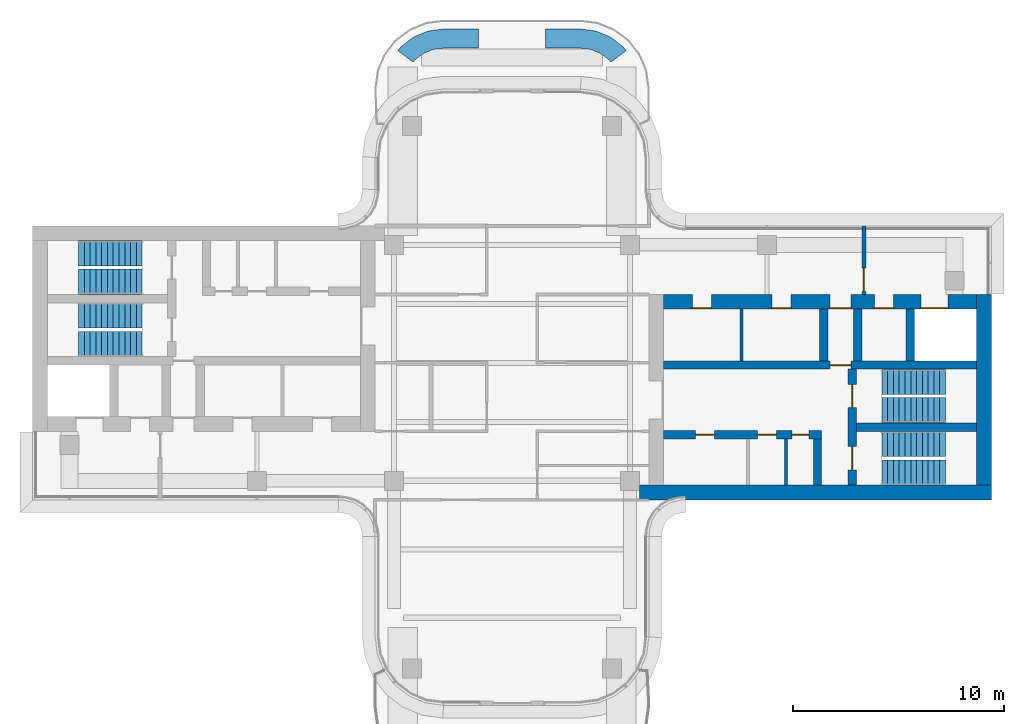
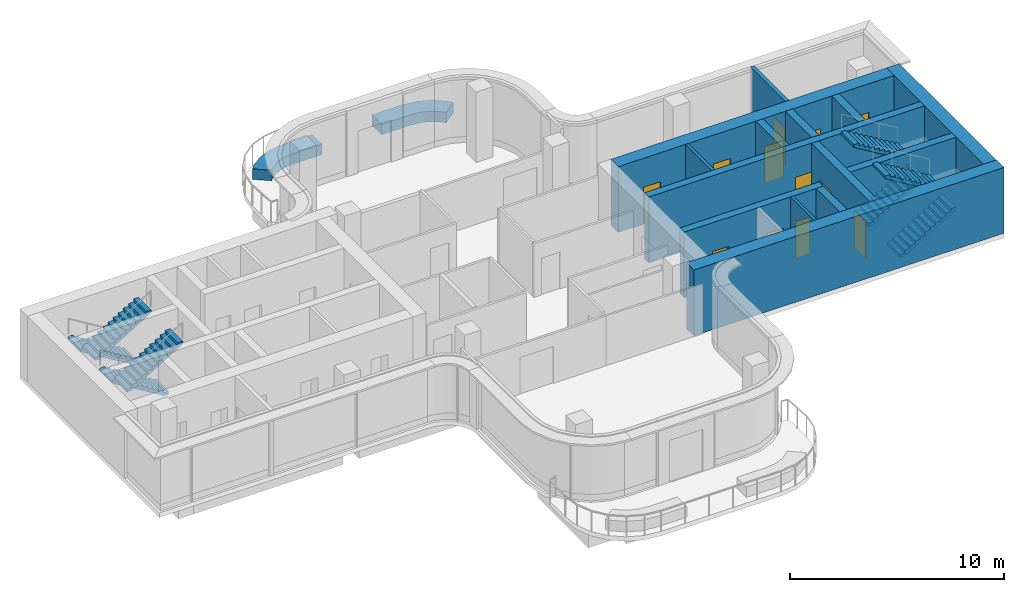
# One storey, part 9 of 11: 16 walls, 12 doors, 8 stair flights, 12 openings, 4 elements without a shape of their own.
"""IFC4 building model written with IfcOpenShell, lengths in metres."""

import ifcopenshell
import ifcopenshell.guid

model = None  # the IFC model being written
_history = None  # IfcOwnerHistory: only IFC2X3 demands one
_inside = {}  # id of a spatial element -> (the spatial element, [elements in it])
_under = {}  # id of a project, library or spatial element -> (it, [spatial elements below it])
_declared = {}  # id of a project -> (the project, [libraries it declares])
_typed = {}  # id of a type object -> (the type object, [elements of that type])
_made_of = {}  # id of a material, layer set ... -> (it, [elements and type objects made of it])


def new_model(schema):
    """Start an empty IFC model of exactly this schema.

    Asked for "IFC4X3", IfcOpenShell would pick the latest addendum, in which some entities
    have other attributes; the version numbers below select the first issue.
    IFC2X3 requires an IfcOwnerHistory on every rooted entity: one is made here for all.
    """
    global model, _history
    if schema == "IFC4X3":
        model = ifcopenshell.file(schema_version=(4, 3, 0, 0))
    else:
        model = ifcopenshell.file(schema=schema)
    _inside.clear()
    _under.clear()
    _declared.clear()
    _typed.clear()
    _made_of.clear()
    _history = None
    if model.schema == "IFC2X3":
        org = make("IfcOrganization", Name="unknown")
        user = make(
            "IfcPersonAndOrganization",
            ThePerson=make("IfcPerson", FamilyName="unknown"),
            TheOrganization=org,
        )
        app = make(
            "IfcApplication",
            ApplicationDeveloper=org,
            Version="unknown",
            ApplicationFullName="unknown",
            ApplicationIdentifier="unknown",
        )
        _history = make(
            "IfcOwnerHistory",
            OwningUser=user,
            OwningApplication=app,
            ChangeAction="ADDED",
            CreationDate=0,
        )
    return model


def make(cls, **values):
    """One entity of the class cls with the attributes given. An attribute that is None is left unset."""
    return model.create_entity(
        cls, **{name: value for name, value in values.items() if value is not None}
    )


def rooted(cls, **values):
    """An entity with a GlobalId (a new one), such as an element, a storey or a relation."""
    return make(cls, GlobalId=ifcopenshell.guid.new(), OwnerHistory=_history, **values)


def si_unit(unit_type, name, prefix=None):
    """IfcSIUnit, for example si_unit("LENGTHUNIT", "METRE", prefix="MILLI")."""
    return make("IfcSIUnit", UnitType=unit_type, Prefix=prefix, Name=name)


def assignment(units):
    """IfcUnitAssignment: the units of a project."""
    return None if units is None else make("IfcUnitAssignment", Units=units)


def point(xyz):
    """IfcCartesianPoint."""
    return None if xyz is None else make("IfcCartesianPoint", Coordinates=xyz)


def direction(xyz):
    """IfcDirection."""
    return None if xyz is None else make("IfcDirection", DirectionRatios=xyz)


def frame(location, z_axis=None, x_axis=None):
    """IfcAxis2Placement3D, a coordinate frame: its origin and axes. An axis left out is left unset."""
    return make(
        "IfcAxis2Placement3D",
        Location=point(location),
        Axis=direction(z_axis),
        RefDirection=direction(x_axis),
    )


def frame_2d(location, x_axis=None):
    """IfcAxis2Placement2D, a coordinate frame in the plane: its origin and x axis."""
    return make(
        "IfcAxis2Placement2D", Location=point(location), RefDirection=direction(x_axis)
    )


def origin():
    """The frame at (0, 0, 0) with its axes left unset."""
    return frame((0.0, 0.0, 0.0))


def place(relative_to, where):
    """IfcLocalPlacement: puts the frame where relative to a parent placement (None: the world)."""
    return make(
        "IfcLocalPlacement", PlacementRelTo=relative_to, RelativePlacement=where
    )


def context(
    kind, dimensions, precision=None, world=None, true_north=None, identifier=None
):
    """IfcGeometricRepresentationContext, for example the 3D "Model" context."""
    return make(
        "IfcGeometricRepresentationContext",
        ContextIdentifier=identifier,
        ContextType=kind,
        CoordinateSpaceDimension=dimensions,
        Precision=precision,
        WorldCoordinateSystem=world,
        TrueNorth=true_north,
    )


def subcontext(parent, identifier, kind, view, scale=None):
    """IfcGeometricRepresentationSubContext, for example "Body" below "Model"."""
    return make(
        "IfcGeometricRepresentationSubContext",
        ContextIdentifier=identifier,
        ContextType=kind,
        ParentContext=parent,
        TargetScale=scale,
        TargetView=view,
    )


def project(units=None, contexts=None):
    """IfcProject with its units and contexts."""
    return rooted(
        "IfcProject",
        Name="project",
        RepresentationContexts=contexts,
        UnitsInContext=assignment(units),
    )


def spatial(cls, under=None, at=None, **own):
    """A site, building, storey or space (cls), placed at a placement, below another one or the project."""
    s = rooted(cls, ObjectPlacement=at, **own)
    if under is not None:
        _under.setdefault(under.id(), (under, []))[1].append(s)
    return s


def polyline(points):
    """IfcPolyline through the points."""
    return make("IfcPolyline", Points=[point(p) for p in points])


def profile(cls, at=None, kind="AREA", **sizes):
    """A parametric profile (cls). Its sizes go by their IFC names, for example OverallWidth=200.0."""
    return make(cls, ProfileType=kind, Position=at, **sizes)


def rectangle(**sizes):
    """IfcRectangleProfileDef."""
    return profile("IfcRectangleProfileDef", **sizes)


def outline(outer, holes=None, kind="AREA"):
    """IfcArbitraryClosedProfileDef: a profile drawn as a closed curve; with holes, ...WithVoids."""
    if holes is None:
        return make("IfcArbitraryClosedProfileDef", ProfileType=kind, OuterCurve=outer)
    return make(
        "IfcArbitraryProfileDefWithVoids",
        ProfileType=kind,
        OuterCurve=outer,
        InnerCurves=holes,
    )


def extrude(swept, where, along, depth):
    """IfcExtrudedAreaSolid: the profile swept, set in the frame where, extruded along a direction by depth."""
    return make(
        "IfcExtrudedAreaSolid",
        SweptArea=swept,
        Position=where,
        ExtrudedDirection=direction(along),
        Depth=depth,
    )


def shape(context_of_items, identifier, shape_type, items):
    """IfcShapeRepresentation: the items that make up one representation, for example the "Body"."""
    return make(
        "IfcShapeRepresentation",
        ContextOfItems=context_of_items,
        RepresentationIdentifier=identifier,
        RepresentationType=shape_type,
        Items=items,
    )


def source(mapping_origin, context_of_items, identifier, shape_type, items):
    """IfcRepresentationMap: a shape defined once, which mapped items show again and again."""
    return make(
        "IfcRepresentationMap",
        MappingOrigin=mapping_origin,
        MappedRepresentation=shape(context_of_items, identifier, shape_type, items),
    )


def transform(
    local_origin,
    x_axis=None,
    y_axis=None,
    z_axis=None,
    scale=None,
    scale2=None,
    scale3=None,
    uniform=True,
):
    """IfcCartesianTransformationOperator3D, or its non-uniform kind. x_axis, y_axis, z_axis: its Axis1, 2, 3."""
    if uniform:
        return make(
            "IfcCartesianTransformationOperator3D",
            Axis1=direction(x_axis),
            Axis2=direction(y_axis),
            LocalOrigin=point(local_origin),
            Scale=scale,
            Axis3=direction(z_axis),
        )
    return make(
        "IfcCartesianTransformationOperator3DnonUniform",
        Axis1=direction(x_axis),
        Axis2=direction(y_axis),
        LocalOrigin=point(local_origin),
        Scale=scale,
        Axis3=direction(z_axis),
        Scale2=scale2,
        Scale3=scale3,
    )


def mapped(mapping_source, mapping_target):
    """IfcMappedItem: shows the shape of a source again, moved by a transform."""
    return make(
        "IfcMappedItem", MappingSource=mapping_source, MappingTarget=mapping_target
    )


def material(Name=None, Category=None):
    """IfcMaterial."""
    return make("IfcMaterial", Name=Name, Category=Category)


def layer(
    of_material, thickness, ventilated=None, Name=None, Category=None, Priority=None
):
    """IfcMaterialLayer: one layer of a wall or slab, of a material (None: an air gap)."""
    return make(
        "IfcMaterialLayer",
        Material=of_material,
        LayerThickness=thickness,
        IsVentilated=ventilated,
        Name=Name,
        Category=Category,
        Priority=Priority,
    )


def layer_set(layers, Name=None):
    """IfcMaterialLayerSet."""
    return make("IfcMaterialLayerSet", MaterialLayers=layers, LayerSetName=Name)


def made_of(thing, what):
    """Note that an element or type object is made of a material, layer set ...; save() writes the relation."""
    if what is not None:
        _made_of.setdefault(what.id(), (what, []))[1].append(thing)
    return thing


def type_object(cls, material=None, **own):
    """A type object (cls), such as IfcWallType, which elements share."""
    return made_of(rooted(cls, **own), material)


def element(
    cls,
    number,
    at=None,
    inside=None,
    cuts=None,
    type_object=None,
    material=None,
    context=None,
    identifier="Body",
    shape_type=None,
    held_by="IfcProductDefinitionShape",
    body=None,
    shapes=None,
    **own,
):
    """One element of the class cls, such as IfcWall. Its Tag is "e" and its number.

    at: its placement. inside: the storey or other place that contains it. cuts: it is an
    opening in that element (IfcRelVoidsElement). A single representation is given by context,
    identifier, shape_type and body (its items); several are given by shapes. held_by: the class
    of the entity that holds the representations. save() writes the other relations.
    """
    e = rooted(cls, Tag="e%d" % number, ObjectPlacement=at, **own)
    if body is not None:
        shapes = [shape(context, identifier, shape_type, body)]
    if shapes is not None:
        e.Representation = make(held_by, Representations=shapes)
    if inside is not None:
        _inside.setdefault(inside.id(), (inside, []))[1].append(e)
    if cuts is not None:
        rooted(
            "IfcRelVoidsElement", RelatingBuildingElement=cuts, RelatedOpeningElement=e
        )
    if type_object is not None:
        _typed.setdefault(type_object.id(), (type_object, []))[1].append(e)
    return made_of(e, material)


def fill(opening, filler):
    """IfcRelFillsElement: the door or window that sits in an opening."""
    return rooted(
        "IfcRelFillsElement",
        RelatingOpeningElement=opening,
        RelatedBuildingElement=filler,
    )


def aggregate(whole, parts):
    """IfcRelAggregates: a whole, such as a stair, and the parts it consists of."""
    return rooted("IfcRelAggregates", RelatingObject=whole, RelatedObjects=parts)


def save(model, path):
    """Write the relations noted so far, then the file.

    IfcRelAggregates (storeys below a building ...), IfcRelContainedInSpatialStructure (elements
    in a storey), IfcRelDefinesByType, IfcRelAssociatesMaterial and IfcRelDeclares: one each for
    every whole, place, type object, material and project.
    """
    for whole, parts in _under.values():
        aggregate(whole, parts)
    for where, things in _inside.values():
        rooted(
            "IfcRelContainedInSpatialStructure",
            RelatedElements=things,
            RelatingStructure=where,
        )
    for kind, things in _typed.values():
        rooted("IfcRelDefinesByType", RelatedObjects=things, RelatingType=kind)
    for what, things in _made_of.values():
        rooted("IfcRelAssociatesMaterial", RelatedObjects=things, RelatingMaterial=what)
    for by, libraries in _declared.values():
        rooted("IfcRelDeclares", RelatingContext=by, RelatedDefinitions=libraries)
    model.write(path)


model = new_model("IFC4")

# Units and contexts
model_context = context("Model", 3, precision=1e-05, world=origin(), true_north=direction((0.0, 1.0)))
body_context = subcontext(model_context, "Body", "Model", "MODEL_VIEW")
ifc_project = project(units=[si_unit("LENGTHUNIT", "METRE"), si_unit("AREAUNIT", "SQUARE_METRE"), si_unit("VOLUMEUNIT", "CUBIC_METRE"), si_unit("PLANEANGLEUNIT", "RADIAN"), si_unit("MASSUNIT", "GRAM", prefix="KILO")], contexts=[model_context])

# Site, building, storey
site_placement = place(None, origin())
site = spatial("IfcSite", under=ifc_project, at=site_placement, CompositionType="ELEMENT")
building_placement = place(site_placement, origin())
building = spatial("IfcBuilding", under=site, at=building_placement, Name="Trellis Farm Tower", CompositionType="ELEMENT")
storey_placement = place(building_placement, frame((0.0, 0.0, 346.10009765625)))
storey = spatial("IfcBuildingStorey", under=building, at=storey_placement, Name="L78", CompositionType="ELEMENT", Elevation=346.10009765625)

# Walls
ifc_material_1 = material(Name="Sandstone faced masonry planter", Category="masonry")
ifc_layer_1 = layer(ifc_material_1, 0.89990234375)
ifc_layer_set_1 = layer_set([ifc_layer_1], Name="TERRACE PLANTER BED 900")
wall_type_1 = type_object("IfcWallType", Name="TERRACE PLANTER BED 900", PredefinedType="USERDEFINED", material=ifc_layer_set_1)
placement = place(storey_placement, origin())
element("IfcWall", 1, at=placement, inside=storey, type_object=wall_type_1, Name="PLANTER bed", ObjectType="PLANTER", PredefinedType="USERDEFINED", context=body_context, shape_type="SweptSolid", body=[
    extrude(outline(polyline([(-5.2626953125, 15.0126953125), (-4.67333984375, 15.465087890625), (-3.98681640625, 15.74951171875), (-3.223876953125, 15.85009765625), (-1.60009765625, 15.85009765625), (-1.60009765625, 14.949951171875), (-3.164794921875, 14.949951171875), (-3.751708984375, 14.872802734375), (-4.219482421875, 14.678955078125), (-4.620849609375, 14.370849609375), (-4.695556640625, 14.273681640625), (-5.40966796875, 14.821533203125), (-5.2626953125, 15.0126953125)])), origin(), (0.0, 0.0, 1.0), 0.599853515625),
])
element("IfcWall", 2, at=placement, inside=storey, type_object=wall_type_1, Name="PLANTER bed", ObjectType="PLANTER", PredefinedType="USERDEFINED", context=body_context, shape_type="SweptSolid", body=[
    extrude(outline(polyline([(3.98681640625, 15.74951171875), (4.67333984375, 15.465087890625), (5.2626953125, 15.0126953125), (5.40966796875, 14.821533203125), (4.695556640625, 14.273681640625), (4.620849609375, 14.370849609375), (4.219482421875, 14.678955078125), (3.751708984375, 14.872802734375), (3.164794921875, 14.949951171875), (1.60009765625, 14.949951171875), (1.60009765625, 15.85009765625), (3.223876953125, 15.85009765625), (3.98681640625, 15.74951171875)])), origin(), (0.0, 0.0, 1.0), 0.599853515625),
])
ifc_material_2 = material(Name="Concrete C50/60", Category="concrete")
ifc_layer_2 = layer(ifc_material_2, 0.699951171875)
ifc_layer_set_2 = layer_set([ifc_layer_2], Name="CORE OUTER WALL 700 CONCRETE C50/60")
wall_type_2 = type_object("IfcWallType", Name="CORE OUTER WALL 700 CONCRETE C50/60", PredefinedType="SHEAR", material=ifc_layer_set_2)
shared_shape_1 = source(origin(), body_context, "Body", "SweptSolid", [
    extrude(rectangle(XDim=9.050048828125, YDim=0.699951171875, at=frame_2d((4.52490234375, 0.0))), origin(), (0.0, 0.0, 1.0), 3.75),
])
wall_3_placement = place(storey_placement, frame((22.39990234375, -5.800048828125, 0.0), z_axis=(0.0, 0.0, 1.0), x_axis=(0.0, 1.0, 0.0)))
element("IfcWall", 3, at=wall_3_placement, inside=storey, type_object=wall_type_2, Name="Core wall", PredefinedType="SHEAR", context=body_context, shape_type="MappedRepresentation", body=[
    mapped(shared_shape_1, transform((0.0, 0.0, 0.0))),
])
ifc_layer_3 = layer(ifc_material_2, 0.39990234375)
ifc_layer_set_3 = layer_set([ifc_layer_3], Name="CORE INNER WALL 400 CONCRETE C50/60")
wall_type_3 = type_object("IfcWallType", Name="CORE INNER WALL 400 CONCRETE C50/60", PredefinedType="SHEAR", material=ifc_layer_set_3)
shared_shape_2 = source(origin(), body_context, "Body", "SweptSolid", [
    extrude(rectangle(XDim=2.449951171875, YDim=0.39990234375, at=frame_2d((1.22509765625, 0.0))), origin(), (0.0, 0.0, 1.0), 3.75),
])
for number, where, z_axis, x_axis, name in (
    (4, (14.800048828125, 0.10009765625, 0.0), (0.0, 0.0, 1.0), (0.0, 1.0, 0.0), "Core wall"),
    (5, (16.39990234375, 0.10009765625, 0.0), (0.0, 0.0, 1.0), (0.0, 1.0, 0.0), "Core wall"),
    (6, (18.89990234375, 0.10009765625, 0.0), (0.0, 0.0, 1.0), (0.0, 1.0, 0.0), "Core wall"),
):
    element("IfcWall", number, at=place(storey_placement, frame(where, z_axis=z_axis, x_axis=x_axis)), inside=storey, type_object=wall_type_3, Name=name, PredefinedType="SHEAR", context=body_context, shape_type="MappedRepresentation", body=[
        mapped(shared_shape_2, transform((0.0, 0.0, 0.0))),
    ])
ifc_material_3 = material(Name="Masonry blockwork", Category="masonry")
ifc_layer_4 = layer(ifc_material_3, 0.14990234375)
ifc_layer_set_4 = layer_set([ifc_layer_4], Name="CORE PARTITION 150 BLOCKWORK")
wall_type_4 = type_object("IfcWallType", Name="CORE PARTITION 150 BLOCKWORK", PredefinedType="PARTITIONING", material=ifc_layer_set_4)
shared_shape_3 = source(origin(), body_context, "Body", "SweptSolid", [
    extrude(rectangle(XDim=2.449951171875, YDim=0.14990234375, at=frame_2d((1.22509765625, 0.0))), origin(), (0.0, 0.0, 1.0), 3.75),
])
wall_4_placement = place(storey_placement, frame((10.89990234375, 0.10009765625, 0.0), z_axis=(0.0, 0.0, 1.0), x_axis=(0.0, 1.0, 0.0)))
element("IfcWall", 7, at=wall_4_placement, inside=storey, type_object=wall_type_4, Name="Core room partition", PredefinedType="PARTITIONING", context=body_context, shape_type="MappedRepresentation", body=[
    mapped(shared_shape_3, transform((0.0, 0.0, 0.0))),
])
shared_shape_4 = source(origin(), body_context, "Body", "SweptSolid", [
    extrude(rectangle(XDim=16.699951171875, YDim=0.699951171875, at=frame_2d((8.35009765625, 0.0))), origin(), (0.0, 0.0, 1.0), 3.75),
])
wall_5_placement = place(storey_placement, frame((6.050048828125, -6.14990234375, 0.0), z_axis=(0.0, 0.0, 1.0), x_axis=(1.0, 0.0, 0.0)))
element("IfcWall", 8, at=wall_5_placement, inside=storey, type_object=wall_type_2, Name="Core wall", PredefinedType="SHEAR", context=body_context, shape_type="MappedRepresentation", body=[
    mapped(shared_shape_4, transform((0.0, 0.0, 0.0))),
])

# Wall, openings, doors
shared_shape_5 = source(origin(), body_context, "Body", "SweptSolid", [
    extrude(rectangle(XDim=14.85009765625, YDim=0.699951171875, at=frame_2d((7.425048828125, 0.0))), origin(), (0.0, 0.0, 1.0), 3.75),
])
wall_6_placement = place(storey_placement, frame((7.199951171875, 2.89990234375, 0.0), z_axis=(0.0, 0.0, 1.0), x_axis=(1.0, 0.0, 0.0)))
wall_6 = element("IfcWall", 9, at=wall_6_placement, inside=storey, type_object=wall_type_2, Name="Core wall", PredefinedType="SHEAR", context=body_context, shape_type="MappedRepresentation", body=[
    mapped(shared_shape_5, transform((0.0, 0.0, 0.0))),
])
shared_shape_6 = source(origin(), body_context, "Body", "SweptSolid", [
    extrude(rectangle(XDim=1.300048828125, YDim=2.10009765625, at=frame_2d((0.64990234375, 1.050048828125))), frame((0.0, 0.360107421875, 0.0), z_axis=(0.0, -1.0, 0.0), x_axis=(1.0, 0.0, 0.0)), (0.0, 0.0, 1.0), 0.72021484375),
])
opening_1_placement = place(wall_6_placement, frame((12.199951171875, 0.0, 0.0)))
opening_1 = element("IfcOpeningElement", 10, at=opening_1_placement, cuts=wall_6, Name="Opening LD7", PredefinedType="OPENING", context=body_context, shape_type="MappedRepresentation", body=[
    mapped(shared_shape_6, transform((0.0, 0.0, 0.0))),
])
shared_shape_7 = source(origin(), body_context, "Body", "SweptSolid", [
    extrude(rectangle(XDim=1.0, YDim=2.10009765625, at=frame_2d((0.5, 1.050048828125))), frame((0.0, 0.360107421875, 0.0), z_axis=(0.0, -1.0, 0.0), x_axis=(1.0, 0.0, 0.0)), (0.0, 0.0, 1.0), 0.72021484375),
])
opening_2_placement = place(wall_6_placement, frame((7.89990234375, 0.0, 0.0)))
opening_2 = element("IfcOpeningElement", 11, at=opening_2_placement, cuts=wall_6, Name="Opening DC6", PredefinedType="OPENING", context=body_context, shape_type="MappedRepresentation", body=[
    mapped(shared_shape_7, transform((0.0, 0.0, 0.0))),
])
shared_shape_8 = source(origin(), body_context, "Body", "SweptSolid", [
    extrude(rectangle(XDim=0.89990234375, YDim=2.10009765625, at=frame_2d((0.449951171875, 1.050048828125))), frame((0.0, 0.360107421875, 0.0), z_axis=(0.0, -1.0, 0.0), x_axis=(1.0, 0.0, 0.0)), (0.0, 0.0, 1.0), 0.72021484375),
])
opening_3_placement = place(wall_6_placement, frame((1.362548828125, 0.0, 0.0)))
opening_3 = element("IfcOpeningElement", 12, at=opening_3_placement, cuts=wall_6, Name="Opening DC12", PredefinedType="OPENING", context=body_context, shape_type="MappedRepresentation", body=[
    mapped(shared_shape_8, transform((0.0, 0.0, 0.0))),
])
opening_4_placement = place(wall_6_placement, frame((5.137451171875, 0.0, 0.0)))
opening_4 = element("IfcOpeningElement", 13, at=opening_4_placement, cuts=wall_6, Name="Opening DC17", PredefinedType="OPENING", context=body_context, shape_type="MappedRepresentation", body=[
    mapped(shared_shape_8, transform((0.0, 0.0, 0.0))),
])
opening_5_placement = place(wall_6_placement, frame((10.0, 0.0, 0.0)))
opening_5 = element("IfcOpeningElement", 14, at=opening_5_placement, cuts=wall_6, Name="Opening DC48", PredefinedType="OPENING", context=body_context, shape_type="MappedRepresentation", body=[
    mapped(shared_shape_8, transform((0.0, 0.0, 0.0))),
])
ifc_material_4 = material(Name="Steel", Category="steel")
door_type_1 = type_object("IfcDoorType", Name="CORE FIRE DOOR 1000 X 2100", OperationType="NOTDEFINED", PredefinedType="DOOR", material=ifc_material_4)
shared_shape_9 = source(origin(), body_context, "Body", "SweptSolid", [
    extrude(rectangle(XDim=1.0, YDim=2.10009765625, at=frame_2d((0.5, 1.050048828125))), frame((0.0, -0.27490234375, 0.0), z_axis=(0.0, -1.0, 0.0), x_axis=(1.0, 0.0, 0.0)), (0.0, 0.0, 1.0), 0.050048828125),
])
door_1_placement = place(opening_2_placement, origin())
door_1 = element("IfcDoor", 15, at=door_1_placement, inside=storey, type_object=door_type_1, Name="Core door", OperationType="SINGLE_SWING_LEFT", OverallHeight=2.10009765625, OverallWidth=1.0, PredefinedType="DOOR", context=body_context, shape_type="MappedRepresentation", body=[
    mapped(shared_shape_9, transform((0.0, 0.0, 0.0))),
])
fill(opening_2, door_1)
door_type_2 = type_object("IfcDoorType", Name="CORE FIRE DOOR 900 X 2100", OperationType="NOTDEFINED", PredefinedType="DOOR", material=ifc_material_4)
shared_shape_10 = source(origin(), body_context, "Body", "SweptSolid", [
    extrude(rectangle(XDim=0.89990234375, YDim=2.10009765625, at=frame_2d((0.449951171875, 1.050048828125))), frame((0.0, -0.27490234375, 0.0), z_axis=(0.0, -1.0, 0.0), x_axis=(1.0, 0.0, 0.0)), (0.0, 0.0, 1.0), 0.050048828125),
])
door_2_placement = place(opening_3_placement, origin())
door_2 = element("IfcDoor", 16, at=door_2_placement, inside=storey, type_object=door_type_2, Name="Core door", OperationType="SINGLE_SWING_RIGHT", OverallHeight=2.10009765625, OverallWidth=0.89990234375, PredefinedType="DOOR", context=body_context, shape_type="MappedRepresentation", body=[
    mapped(shared_shape_10, transform((0.0, 0.0, 0.0))),
])
fill(opening_3, door_2)
door_3_placement = place(opening_4_placement, origin())
door_3 = element("IfcDoor", 17, at=door_3_placement, inside=storey, type_object=door_type_2, Name="Core door", OperationType="SINGLE_SWING_LEFT", OverallHeight=2.10009765625, OverallWidth=0.89990234375, PredefinedType="DOOR", context=body_context, shape_type="MappedRepresentation", body=[
    mapped(shared_shape_10, transform((0.0, 0.0, 0.0))),
])
fill(opening_4, door_3)
door_4_placement = place(opening_5_placement, origin())
door_4 = element("IfcDoor", 18, at=door_4_placement, inside=storey, type_object=door_type_2, Name="Core door", OperationType="SINGLE_SWING_RIGHT", OverallHeight=2.10009765625, OverallWidth=0.89990234375, PredefinedType="DOOR", context=body_context, shape_type="MappedRepresentation", body=[
    mapped(shared_shape_10, transform((0.0, 0.0, 0.0))),
])
fill(opening_5, door_4)
ifc_material_5 = material(Name="Stainless steel", Category="steel")
door_type_3 = type_object("IfcDoorType", Name="LIFT LANDING DOOR 1300 X 2100", OperationType="DOUBLE_DOOR_SLIDING", PredefinedType="DOOR", material=ifc_material_5)
shared_shape_11 = source(origin(), body_context, "Body", "SweptSolid", [
    extrude(rectangle(XDim=1.300048828125, YDim=2.10009765625, at=frame_2d((0.64990234375, 1.050048828125))), frame((0.0, -0.27490234375, 0.0), z_axis=(0.0, -1.0, 0.0), x_axis=(1.0, 0.0, 0.0)), (0.0, 0.0, 1.0), 0.050048828125),
])
door_5_placement = place(opening_1_placement, origin())
door_5 = element("IfcDoor", 19, at=door_5_placement, inside=storey, type_object=door_type_3, Name="Lift landing door", OperationType="DOUBLE_DOOR_SLIDING", OverallHeight=2.10009765625, OverallWidth=1.300048828125, PredefinedType="DOOR", context=body_context, shape_type="MappedRepresentation", body=[
    mapped(shared_shape_11, transform((0.0, 0.0, 0.0))),
])
fill(opening_1, door_5)

shared_shape_12 = source(origin(), body_context, "Body", "SweptSolid", [
    extrude(rectangle(XDim=7.5, YDim=0.39990234375, at=frame_2d((3.75, 0.0))), origin(), (0.0, 0.0, 1.0), 3.75),
])
wall_7_placement = place(storey_placement, frame((7.199951171875, -3.39990234375, 0.0), z_axis=(0.0, 0.0, 1.0), x_axis=(1.0, 0.0, 0.0)))
wall_7 = element("IfcWall", 20, at=wall_7_placement, inside=storey, type_object=wall_type_3, Name="Core wall", PredefinedType="SHEAR", context=body_context, shape_type="MappedRepresentation", body=[
    mapped(shared_shape_12, transform((0.0, 0.0, 0.0))),
])
shared_shape_13 = source(origin(), body_context, "Body", "SweptSolid", [
    extrude(rectangle(XDim=0.89990234375, YDim=2.10009765625, at=frame_2d((0.449951171875, 1.050048828125))), frame((0.0, 0.2099609375, 0.0), z_axis=(0.0, -1.0, 0.0), x_axis=(1.0, 0.0, 0.0)), (0.0, 0.0, 1.0), 0.419921875),
])
opening_6_placement = place(wall_7_placement, frame((1.512451171875, 0.0, 0.0)))
opening_6 = element("IfcOpeningElement", 21, at=opening_6_placement, cuts=wall_7, Name="Opening DC53", PredefinedType="OPENING", context=body_context, shape_type="MappedRepresentation", body=[
    mapped(shared_shape_13, transform((0.0, 0.0, 0.0))),
])
opening_7_placement = place(wall_7_placement, frame((4.449951171875, 0.0, 0.0)))
opening_7 = element("IfcOpeningElement", 22, at=opening_7_placement, cuts=wall_7, Name="Opening DC60", PredefinedType="OPENING", context=body_context, shape_type="MappedRepresentation", body=[
    mapped(shared_shape_13, transform((0.0, 0.0, 0.0))),
])
shared_shape_14 = source(origin(), body_context, "Body", "SweptSolid", [
    extrude(rectangle(XDim=0.800048828125, YDim=2.10009765625, at=frame_2d((0.39990234375, 1.050048828125))), frame((0.0, 0.2099609375, 0.0), z_axis=(0.0, -1.0, 0.0), x_axis=(1.0, 0.0, 0.0)), (0.0, 0.0, 1.0), 0.419921875),
])
opening_8_placement = place(wall_7_placement, frame((6.08740234375, 0.0, 0.0)))
opening_8 = element("IfcOpeningElement", 23, at=opening_8_placement, cuts=wall_7, Name="Opening DC63", PredefinedType="OPENING", context=body_context, shape_type="MappedRepresentation", body=[
    mapped(shared_shape_14, transform((0.0, 0.0, 0.0))),
])
shared_shape_15 = source(origin(), body_context, "Body", "SweptSolid", [
    extrude(rectangle(XDim=0.89990234375, YDim=2.10009765625, at=frame_2d((0.449951171875, 1.050048828125))), frame((0.0, 0.02490234375, 0.0), z_axis=(0.0, -1.0, 0.0), x_axis=(1.0, 0.0, 0.0)), (0.0, 0.0, 1.0), 0.050048828125),
])
door_6_placement = place(opening_6_placement, origin())
door_6 = element("IfcDoor", 24, at=door_6_placement, inside=storey, type_object=door_type_2, Name="Core door", OperationType="SINGLE_SWING_LEFT", OverallHeight=2.10009765625, OverallWidth=0.89990234375, PredefinedType="DOOR", context=body_context, shape_type="MappedRepresentation", body=[
    mapped(shared_shape_15, transform((0.0, 0.0, 0.0))),
])
fill(opening_6, door_6)
door_7_placement = place(opening_7_placement, origin())
door_7 = element("IfcDoor", 25, at=door_7_placement, inside=storey, type_object=door_type_2, Name="Core door", OperationType="SINGLE_SWING_RIGHT", OverallHeight=2.10009765625, OverallWidth=0.89990234375, PredefinedType="DOOR", context=body_context, shape_type="MappedRepresentation", body=[
    mapped(shared_shape_15, transform((0.0, 0.0, 0.0))),
])
fill(opening_7, door_7)
door_type_4 = type_object("IfcDoorType", Name="CORE FIRE DOOR 800 X 2100", OperationType="NOTDEFINED", PredefinedType="DOOR", material=ifc_material_4)
shared_shape_16 = source(origin(), body_context, "Body", "SweptSolid", [
    extrude(rectangle(XDim=0.800048828125, YDim=2.10009765625, at=frame_2d((0.39990234375, 1.050048828125))), frame((0.0, 0.02490234375, 0.0), z_axis=(0.0, -1.0, 0.0), x_axis=(1.0, 0.0, 0.0)), (0.0, 0.0, 1.0), 0.050048828125),
])
door_8_placement = place(opening_8_placement, origin())
door_8 = element("IfcDoor", 26, at=door_8_placement, inside=storey, type_object=door_type_4, Name="Core door", OperationType="SINGLE_SWING_LEFT", OverallHeight=2.10009765625, OverallWidth=0.800048828125, PredefinedType="DOOR", context=body_context, shape_type="MappedRepresentation", body=[
    mapped(shared_shape_16, transform((0.0, 0.0, 0.0))),
])
fill(opening_8, door_8)

# Wall, opening, door
shared_shape_17 = source(origin(), body_context, "Body", "SweptSolid", [
    extrude(rectangle(XDim=14.85009765625, YDim=0.39990234375, at=frame_2d((7.425048828125, 0.0))), origin(), (0.0, 0.0, 1.0), 3.75),
])
wall_8_placement = place(storey_placement, frame((7.199951171875, -0.10009765625, 0.0), z_axis=(0.0, 0.0, 1.0), x_axis=(1.0, 0.0, 0.0)))
wall_8 = element("IfcWall", 27, at=wall_8_placement, inside=storey, type_object=wall_type_3, Name="Core wall", PredefinedType="SHEAR", context=body_context, shape_type="MappedRepresentation", body=[
    mapped(shared_shape_17, transform((0.0, 0.0, 0.0))),
])
shared_shape_18 = source(origin(), body_context, "Body", "SweptSolid", [
    extrude(rectangle(XDim=1.0, YDim=2.10009765625, at=frame_2d((0.5, 1.050048828125))), frame((0.0, 0.2099609375, 0.0), z_axis=(0.0, -1.0, 0.0), x_axis=(1.0, 0.0, 0.0)), (0.0, 0.0, 1.0), 0.419921875),
])
opening_9_placement = place(wall_8_placement, frame((7.89990234375, 0.0, 0.0)))
opening_9 = element("IfcOpeningElement", 28, at=opening_9_placement, cuts=wall_8, Name="Opening DC5", PredefinedType="OPENING", context=body_context, shape_type="MappedRepresentation", body=[
    mapped(shared_shape_18, transform((0.0, 0.0, 0.0))),
])
shared_shape_19 = source(origin(), body_context, "Body", "SweptSolid", [
    extrude(rectangle(XDim=1.0, YDim=2.10009765625, at=frame_2d((0.5, 1.050048828125))), frame((0.0, 0.02490234375, 0.0), z_axis=(0.0, -1.0, 0.0), x_axis=(1.0, 0.0, 0.0)), (0.0, 0.0, 1.0), 0.050048828125),
])
door_9_placement = place(opening_9_placement, origin())
door_9 = element("IfcDoor", 29, at=door_9_placement, inside=storey, type_object=door_type_1, Name="Core door", OperationType="SINGLE_SWING_RIGHT", OverallHeight=2.10009765625, OverallWidth=1.0, PredefinedType="DOOR", context=body_context, shape_type="MappedRepresentation", body=[
    mapped(shared_shape_19, transform((0.0, 0.0, 0.0))),
])
fill(opening_9, door_9)

# Wall, openings, doors
shared_shape_20 = source(origin(), body_context, "Body", "SweptSolid", [
    extrude(rectangle(XDim=5.5, YDim=0.39990234375, at=frame_2d((2.75, 0.0))), origin(), (0.0, 0.0, 1.0), 3.75),
])
wall_9_placement = place(storey_placement, frame((16.14990234375, -5.800048828125, 0.0), z_axis=(0.0, 0.0, 1.0), x_axis=(0.0, 1.0, 0.0)))
wall_9 = element("IfcWall", 30, at=wall_9_placement, inside=storey, type_object=wall_type_3, Name="Core wall", PredefinedType="SHEAR", context=body_context, shape_type="MappedRepresentation", body=[
    mapped(shared_shape_20, transform((0.0, 0.0, 0.0))),
])
shared_shape_21 = source(origin(), body_context, "Body", "SweptSolid", [
    extrude(rectangle(XDim=1.10009765625, YDim=2.10009765625, at=frame_2d((0.550048828125, 1.050048828125))), frame((0.0, 0.2099609375, 0.0), z_axis=(0.0, -1.0, 0.0), x_axis=(1.0, 0.0, 0.0)), (0.0, 0.0, 1.0), 0.419921875),
])
opening_10_placement = place(wall_9_placement, frame((0.72509765625, 0.0, 0.0)))
opening_10 = element("IfcOpeningElement", 31, at=opening_10_placement, cuts=wall_9, Name="Opening DC2", PredefinedType="OPENING", context=body_context, shape_type="MappedRepresentation", body=[
    mapped(shared_shape_21, transform((0.0, 0.0, 0.0))),
])
opening_11_placement = place(wall_9_placement, frame((3.675048828125, 0.0, 0.0)))
opening_11 = element("IfcOpeningElement", 32, at=opening_11_placement, cuts=wall_9, Name="Opening DC3", PredefinedType="OPENING", context=body_context, shape_type="MappedRepresentation", body=[
    mapped(shared_shape_21, transform((0.0, 0.0, 0.0))),
])
door_type_5 = type_object("IfcDoorType", Name="CORE FIRE DOOR 1100 X 2100", OperationType="NOTDEFINED", PredefinedType="DOOR", material=ifc_material_4)
shared_shape_22 = source(origin(), body_context, "Body", "SweptSolid", [
    extrude(rectangle(XDim=1.10009765625, YDim=2.10009765625, at=frame_2d((0.550048828125, 1.050048828125))), frame((0.0, 0.02490234375, 0.0), z_axis=(0.0, -1.0, 0.0), x_axis=(1.0, 0.0, 0.0)), (0.0, 0.0, 1.0), 0.050048828125),
])
door_10_placement = place(opening_10_placement, origin())
door_10 = element("IfcDoor", 33, at=door_10_placement, inside=storey, type_object=door_type_5, Name="Core door", OperationType="SINGLE_SWING_RIGHT", OverallHeight=2.10009765625, OverallWidth=1.10009765625, PredefinedType="DOOR", context=body_context, shape_type="MappedRepresentation", body=[
    mapped(shared_shape_22, transform((0.0, 0.0, 0.0))),
])
fill(opening_10, door_10)
door_11_placement = place(opening_11_placement, origin())
door_11 = element("IfcDoor", 34, at=door_11_placement, inside=storey, type_object=door_type_5, Name="Core door", OperationType="SINGLE_SWING_LEFT", OverallHeight=2.10009765625, OverallWidth=1.10009765625, PredefinedType="DOOR", context=body_context, shape_type="MappedRepresentation", body=[
    mapped(shared_shape_22, transform((0.0, 0.0, 0.0))),
])
fill(opening_11, door_11)

# Walls
shared_shape_23 = source(origin(), body_context, "Body", "SweptSolid", [
    extrude(rectangle(XDim=5.699951171875, YDim=0.39990234375, at=frame_2d((2.85009765625, 0.0))), origin(), (0.0, 0.0, 1.0), 3.75),
])
wall_10_placement = place(storey_placement, frame((16.35009765625, -3.050048828125, 0.0), z_axis=(0.0, 0.0, 1.0), x_axis=(1.0, 0.0, 0.0)))
element("IfcWall", 35, at=wall_10_placement, inside=storey, type_object=wall_type_3, Name="Core wall", PredefinedType="SHEAR", context=body_context, shape_type="MappedRepresentation", body=[
    mapped(shared_shape_23, transform((0.0, 0.0, 0.0))),
])
shared_shape_24 = source(origin(), body_context, "Body", "SweptSolid", [
    extrude(rectangle(XDim=2.199951171875, YDim=0.39990234375, at=frame_2d((1.10009765625, 0.0))), origin(), (0.0, 0.0, 1.0), 3.75),
])
wall_11_placement = place(storey_placement, frame((14.5, -5.800048828125, 0.0), z_axis=(0.0, 0.0, 1.0), x_axis=(0.0, 1.0, 0.0)))
element("IfcWall", 36, at=wall_11_placement, inside=storey, type_object=wall_type_3, Name="Core wall", PredefinedType="SHEAR", context=body_context, shape_type="MappedRepresentation", body=[
    mapped(shared_shape_24, transform((0.0, 0.0, 0.0))),
])

# Wall, opening, door
ifc_layer_5 = layer(ifc_material_3, 0.199951171875)
ifc_layer_set_5 = layer_set([ifc_layer_5], Name="FIRE LOBBY PARTITION 200 BLOCKWORK")
wall_type_5 = type_object("IfcWallType", Name="FIRE LOBBY PARTITION 200 BLOCKWORK", PredefinedType="PARTITIONING", material=ifc_layer_set_5)
shared_shape_25 = source(origin(), body_context, "Body", "SweptSolid", [
    extrude(rectangle(XDim=3.25, YDim=0.199951171875, at=frame_2d((1.625, 0.0))), origin(), (0.0, 0.0, 1.0), 3.75),
])
wall_12_placement = place(storey_placement, frame((16.699951171875, 3.25, 0.0), z_axis=(0.0, 0.0, 1.0), x_axis=(0.0, 1.0, 0.0)))
wall_12 = element("IfcWall", 37, at=wall_12_placement, inside=storey, type_object=wall_type_5, Name="Fire-fighting lobby partition", PredefinedType="PARTITIONING", context=body_context, shape_type="MappedRepresentation", body=[
    mapped(shared_shape_25, transform((0.0, 0.0, 0.0))),
])
shared_shape_26 = source(origin(), body_context, "Body", "SweptSolid", [
    extrude(rectangle(XDim=1.10009765625, YDim=2.10009765625, at=frame_2d((0.550048828125, 1.050048828125))), frame((0.0, 0.110107421875, 0.0), z_axis=(0.0, -1.0, 0.0), x_axis=(1.0, 0.0, 0.0)), (0.0, 0.0, 1.0), 0.22021484375),
])
opening_12_placement = place(wall_12_placement, frame((0.14990234375, 0.0, 0.0)))
opening_12 = element("IfcOpeningElement", 38, at=opening_12_placement, cuts=wall_12, Name="Opening DC7", PredefinedType="OPENING", context=body_context, shape_type="MappedRepresentation", body=[
    mapped(shared_shape_26, transform((0.0, 0.0, 0.0))),
])
door_12_placement = place(opening_12_placement, origin())
door_12 = element("IfcDoor", 39, at=door_12_placement, inside=storey, type_object=door_type_5, Name="Core door", OperationType="SINGLE_SWING_RIGHT", OverallHeight=2.10009765625, OverallWidth=1.10009765625, PredefinedType="DOOR", context=body_context, shape_type="MappedRepresentation", body=[
    mapped(shared_shape_22, transform((0.0, 0.0, 0.0))),
])
fill(opening_12, door_12)

# Wall
shared_shape_27 = source(origin(), body_context, "Body", "SweptSolid", [
    extrude(rectangle(XDim=2.199951171875, YDim=0.14990234375, at=frame_2d((1.10009765625, 0.0))), origin(), (0.0, 0.0, 1.0), 3.75),
])
wall_13_placement = place(storey_placement, frame((13.0, -5.800048828125, 0.0), z_axis=(0.0, 0.0, 1.0), x_axis=(0.0, 1.0, 0.0)))
element("IfcWall", 40, at=wall_13_placement, inside=storey, type_object=wall_type_4, Name="Core room partition", PredefinedType="PARTITIONING", context=body_context, shape_type="MappedRepresentation", body=[
    mapped(shared_shape_27, transform((0.0, 0.0, 0.0))),
])

# Stair, stair flights
stair_type = type_object("IfcStairType", Name="CORE EXIT STAIR 24 RISERS 167 MM", PredefinedType="HALF_TURN_STAIR", material=ifc_material_2)
stair_1 = element("IfcStair", 41, at=placement, inside=storey, type_object=stair_type, Name="Exit stair E1", PredefinedType="HALF_TURN_STAIR")
stair_flight_type = type_object("IfcStairFlightType", Name="STAIR FLIGHT 12 RISERS 167 MM", PredefinedType="STRAIGHT", material=ifc_material_2)
shared_shape_28 = source(origin(), body_context, "Body", "SweptSolid", [
    extrude(outline(polyline([(0.0, 0.0), (0.0, 0.166748046875), (0.27490234375, 0.166748046875), (0.27490234375, 0.333251953125), (0.550048828125, 0.333251953125), (0.550048828125, 0.5), (0.824951171875, 0.5), (0.824951171875, 0.666748046875), (1.10009765625, 0.666748046875), (1.10009765625, 0.833251953125), (1.375, 0.833251953125), (1.375, 1.0), (1.64990234375, 1.0), (1.64990234375, 1.166748046875), (1.925048828125, 1.166748046875), (1.925048828125, 1.333251953125), (2.199951171875, 1.333251953125), (2.199951171875, 1.5), (2.47509765625, 1.5), (2.47509765625, 1.666748046875), (2.75, 1.666748046875), (2.75, 1.833251953125), (3.02490234375, 1.833251953125), (3.02490234375, 2.0), (3.02490234375, 1.681396484375), (0.25048828125, 0.0), (0.0, 0.0)])), frame((0.0, 0.60009765625, 0.0), z_axis=(0.0, -1.0, 0.0), x_axis=(1.0, 0.0, 0.0)), (0.0, 0.0, 1.0), 1.199951171875),
])
stair_flight_1_placement = place(storey_placement, frame((17.550048828125, -5.199951171875, 0.0), z_axis=(0.0, 0.0, 1.0), x_axis=(1.0, 0.0, 0.0)))
stair_flight_1 = element("IfcStairFlight", 42, at=stair_flight_1_placement, type_object=stair_flight_type, Name="STE1 flight 1", NumberOfRisers=12, NumberOfTreads=11, PredefinedType="STRAIGHT", RiserHeight=0.166666667, TreadLength=0.275, context=body_context, shape_type="MappedRepresentation", body=[
    mapped(shared_shape_28, transform((0.0, 0.0, 0.0))),
])
stair_flight_2_placement = place(storey_placement, frame((20.574951171875, -3.85009765625, 2.0), z_axis=(0.0, 0.0, 1.0), x_axis=(-1.0, 0.0, 0.0)))
stair_flight_2 = element("IfcStairFlight", 43, at=stair_flight_2_placement, type_object=stair_flight_type, Name="STE1 flight 2", NumberOfRisers=12, NumberOfTreads=11, PredefinedType="STRAIGHT", RiserHeight=0.166666667, TreadLength=0.275, context=body_context, shape_type="MappedRepresentation", body=[
    mapped(shared_shape_28, transform((0.0, 0.0, 0.0))),
])
aggregate(stair_1, [stair_flight_1, stair_flight_2])

stair_2 = element("IfcStair", 44, at=placement, inside=storey, type_object=stair_type, Name="Exit stair E2", PredefinedType="HALF_TURN_STAIR")
stair_flight_3_placement = place(storey_placement, frame((17.550048828125, -2.25, 0.0), z_axis=(0.0, 0.0, 1.0), x_axis=(1.0, 0.0, 0.0)))
stair_flight_3 = element("IfcStairFlight", 45, at=stair_flight_3_placement, type_object=stair_flight_type, Name="STE2 flight 1", NumberOfRisers=12, NumberOfTreads=11, PredefinedType="STRAIGHT", RiserHeight=0.166666667, TreadLength=0.275, context=body_context, shape_type="MappedRepresentation", body=[
    mapped(shared_shape_28, transform((0.0, 0.0, 0.0))),
])
stair_flight_4_placement = place(storey_placement, frame((20.574951171875, -0.89990234375, 2.0), z_axis=(0.0, 0.0, 1.0), x_axis=(-1.0, 0.0, 0.0)))
stair_flight_4 = element("IfcStairFlight", 46, at=stair_flight_4_placement, type_object=stair_flight_type, Name="STE2 flight 2", NumberOfRisers=12, NumberOfTreads=11, PredefinedType="STRAIGHT", RiserHeight=0.166666667, TreadLength=0.275, context=body_context, shape_type="MappedRepresentation", body=[
    mapped(shared_shape_28, transform((0.0, 0.0, 0.0))),
])
aggregate(stair_2, [stair_flight_3, stair_flight_4])

stair_3 = element("IfcStair", 47, at=placement, inside=storey, type_object=stair_type, Name="Exit stair W1", PredefinedType="HALF_TURN_STAIR")
stair_flight_5_placement = place(storey_placement, frame((-17.550048828125, 5.199951171875, 0.0), z_axis=(0.0, 0.0, 1.0), x_axis=(-1.0, 0.0, 0.0)))
stair_flight_5 = element("IfcStairFlight", 48, at=stair_flight_5_placement, type_object=stair_flight_type, Name="STW1 flight 1", NumberOfRisers=12, NumberOfTreads=11, PredefinedType="STRAIGHT", RiserHeight=0.166666667, TreadLength=0.275, context=body_context, shape_type="MappedRepresentation", body=[
    mapped(shared_shape_28, transform((0.0, 0.0, 0.0))),
])
stair_flight_6_placement = place(storey_placement, frame((-20.574951171875, 3.85009765625, 2.0), z_axis=(0.0, 0.0, 1.0), x_axis=(1.0, 0.0, 0.0)))
stair_flight_6 = element("IfcStairFlight", 49, at=stair_flight_6_placement, type_object=stair_flight_type, Name="STW1 flight 2", NumberOfRisers=12, NumberOfTreads=11, PredefinedType="STRAIGHT", RiserHeight=0.166666667, TreadLength=0.275, context=body_context, shape_type="MappedRepresentation", body=[
    mapped(shared_shape_28, transform((0.0, 0.0, 0.0))),
])
aggregate(stair_3, [stair_flight_5, stair_flight_6])

stair_4 = element("IfcStair", 50, at=placement, inside=storey, type_object=stair_type, Name="Exit stair W2", PredefinedType="HALF_TURN_STAIR")
stair_flight_7_placement = place(storey_placement, frame((-17.550048828125, 2.25, 0.0), z_axis=(0.0, 0.0, 1.0), x_axis=(-1.0, 0.0, 0.0)))
stair_flight_7 = element("IfcStairFlight", 51, at=stair_flight_7_placement, type_object=stair_flight_type, Name="STW2 flight 1", NumberOfRisers=12, NumberOfTreads=11, PredefinedType="STRAIGHT", RiserHeight=0.166666667, TreadLength=0.275, context=body_context, shape_type="MappedRepresentation", body=[
    mapped(shared_shape_28, transform((0.0, 0.0, 0.0))),
])
stair_flight_8_placement = place(storey_placement, frame((-20.574951171875, 0.89990234375, 2.0), z_axis=(0.0, 0.0, 1.0), x_axis=(1.0, 0.0, 0.0)))
stair_flight_8 = element("IfcStairFlight", 52, at=stair_flight_8_placement, type_object=stair_flight_type, Name="STW2 flight 2", NumberOfRisers=12, NumberOfTreads=11, PredefinedType="STRAIGHT", RiserHeight=0.166666667, TreadLength=0.275, context=body_context, shape_type="MappedRepresentation", body=[
    mapped(shared_shape_28, transform((0.0, 0.0, 0.0))),
])
aggregate(stair_4, [stair_flight_7, stair_flight_8])

save(model, "model.ifc")
